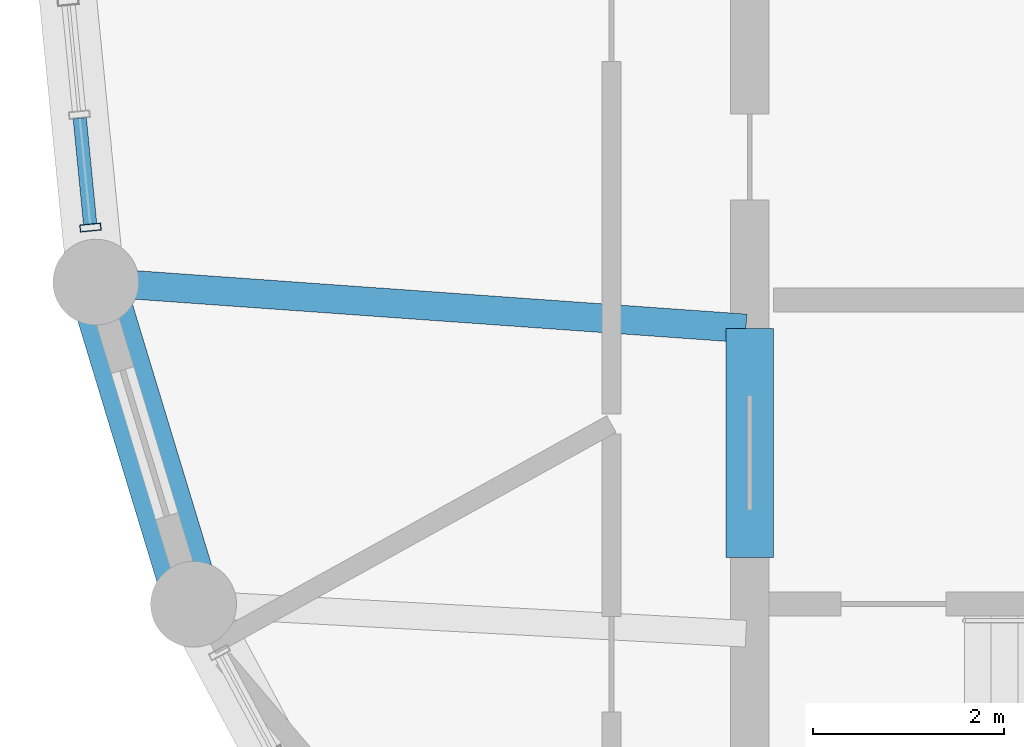
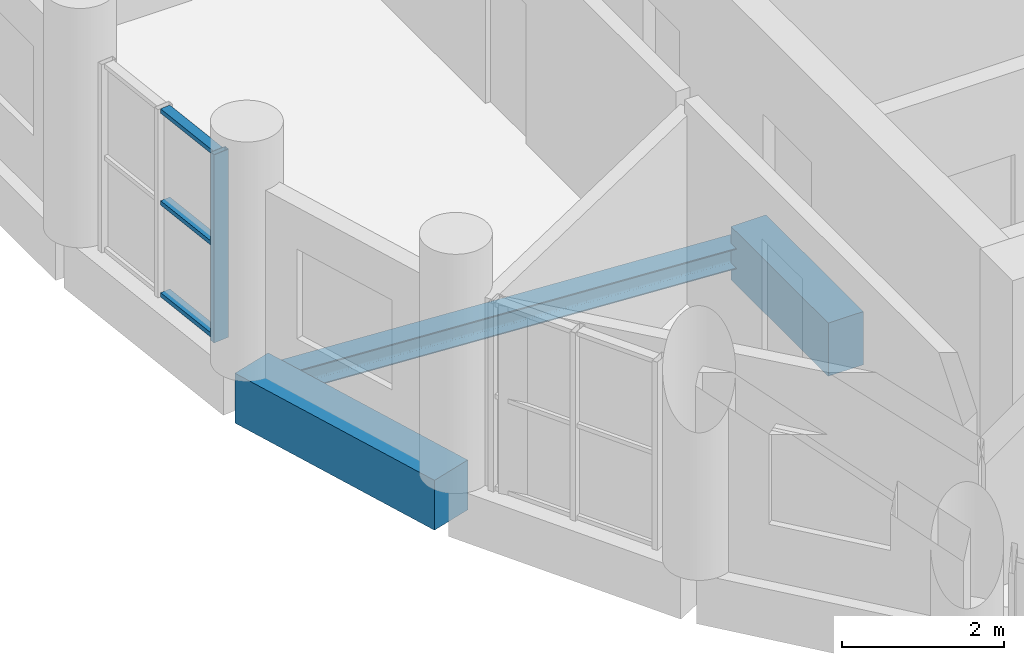
# One storey, part 3 of 11: 4 members, 3 beams, 1 element without a shape of its own.
"""IFC4 building model written with IfcOpenShell, lengths in metres."""

from ifc_helpers import new_model, si_unit, direction, frame, origin, origin_2d, place, context, subcontext, project, spatial, rectangle, hollow_rectangle, i_section, extrude, material, layer, layer_set, material_profile, profile_set, type_object, element, aggregate, save


model = new_model("IFC4")

# Units and contexts
model_context = context("Model", 3, precision=1e-05, world=origin(), true_north=direction((0.0, 1.0)))
body_context = subcontext(model_context, "Body", "Model", "MODEL_VIEW")
ifc_project = project(units=[si_unit("LENGTHUNIT", "METRE"), si_unit("AREAUNIT", "SQUARE_METRE"), si_unit("VOLUMEUNIT", "CUBIC_METRE"), si_unit("PLANEANGLEUNIT", "RADIAN"), si_unit("MASSUNIT", "GRAM", prefix="KILO")], contexts=[model_context])

# Site, building, storey
site_placement = place(None, origin())
site = spatial("IfcSite", under=ifc_project, at=site_placement, CompositionType="ELEMENT")
building_placement = place(site_placement, origin())
building = spatial("IfcBuilding", under=site, at=building_placement, Name="Solnavia Interchange Tower", CompositionType="ELEMENT")
storey_placement = place(building_placement, frame((0.0, 0.0, 273.800048828125)))
storey = spatial("IfcBuildingStorey", under=building, at=storey_placement, Name="L69", CompositionType="ELEMENT", Elevation=273.800048828125)

# Beams
ifc_material_1 = material(Name="Concrete C50/60", Category="concrete")
ifc_material_profile_1 = material_profile(ifc_material_1, rectangle(XDim=0.5, YDim=0.800048828125, at=origin_2d()), Name="RC 500x800")
ifc_profile_set_1 = profile_set([ifc_material_profile_1], Name="Concrete C50/60")
beam_type_1 = type_object("IfcBeamType", Name="Beam-Coupling-RC500x800", PredefinedType="LINTEL", material=ifc_profile_set_1)
beam_1_placement = place(storey_placement, frame((14.39990234375, 15.199951171875, -0.400146484375), z_axis=(0.0, 1.0, 0.0), x_axis=(-1.0, 0.0, 0.0)))
element("IfcBeam", 1, at=beam_1_placement, inside=storey, type_object=beam_type_1, Name="CPB-L69-W1 Core coupling lintel beam", PredefinedType="LINTEL", context=body_context, shape_type="SweptSolid", body=[
    extrude(rectangle(XDim=0.5, YDim=0.800048828125, at=origin_2d()), origin(), (0.0, 0.0, 1.0), 2.400146484375),
])
ifc_material_2 = material(Name="Steel S355", Category="steel")
ifc_material_profile_2 = material_profile(ifc_material_2, i_section(OverallWidth=0.300048828125, OverallDepth=0.31005859375, WebThickness=0.009033203125, FlangeThickness=0.015380859375, FilletRadius=0.027099609375, at=origin_2d()), Name="HEA 320")
ifc_profile_set_2 = profile_set([ifc_material_profile_2], Name="Steel S355")
beam_type_2 = type_object("IfcBeamType", Name="Beam-Primary-HEA320", PredefinedType="BEAM", material=ifc_profile_set_2)
beam_2_placement = place(storey_placement, frame((7.625732421875, 18.082275390625, -0.405029296875), z_axis=(0.99747482749, -0.071020902015, 0.0), x_axis=(0.071020902015, 0.99747482749, 0.0)))
element("IfcBeam", 2, at=beam_2_placement, inside=storey, type_object=beam_type_2, Name="GRD-L69-DR05 Drum radial floor girder", PredefinedType="BEAM", context=body_context, shape_type="SweptSolid", body=[
    extrude(i_section(OverallWidth=0.300048828125, OverallDepth=0.31005859375, WebThickness=0.009033203125, FlangeThickness=0.015380859375, FilletRadius=0.027099609375, at=origin_2d()), origin(), (0.0, 0.0, 1.0), 6.75146484375),
])
ifc_material_profile_3 = material_profile(ifc_material_1, rectangle(XDim=0.60009765625, YDim=0.75, at=origin_2d()), Name="RC 600x750")
ifc_profile_set_3 = profile_set([ifc_material_profile_3], Name="Concrete C50/60")
beam_type_3 = type_object("IfcBeamType", Name="Beam-Spandrel-RC600x750", PredefinedType="SPANDREL", material=ifc_profile_set_3)
beam_3_placement = place(storey_placement, frame((7.569091796875, 18.011474609375, -0.375), z_axis=(0.290319223646, -0.956929855518, 0.0), x_axis=(0.956929855518, 0.290319223646, 0.0)))
element("IfcBeam", 3, at=beam_3_placement, inside=storey, type_object=beam_type_3, Name="SPB-L69-02 Framed-tube perimeter spandrel beam", PredefinedType="SPANDREL", context=body_context, shape_type="SweptSolid", body=[
    extrude(rectangle(XDim=0.60009765625, YDim=0.75, at=origin_2d()), origin(), (0.0, 0.0, 1.0), 3.367919921875),
])

# Curtain wall, members
ifc_material_3 = material(Name="Aluminium Alloy 6063-T6", Category="aluminium")
ifc_layer = layer(ifc_material_3, 0.239990234375)
ifc_layer_set = layer_set([ifc_layer], Name="Aluminium Alloy 6063-T6")
curtain_wall_type = type_object("IfcCurtainWallType", Name="CurtainWall-Drum-CTW2", PredefinedType="NOTDEFINED", material=ifc_layer_set)
curtain_wall_placement = place(storey_placement, origin())
curtain_wall = element("IfcCurtainWall", 4, at=curtain_wall_placement, inside=storey, type_object=curtain_wall_type, Name="CTW-L69-D37 CTW-2 curtain wall", PredefinedType="NOTDEFINED")
ifc_material_profile_4 = material_profile(ifc_material_3, hollow_rectangle(XDim=0.074951171875, YDim=0.219970703125, WallThickness=0.0048828125, at=origin_2d()), Name="ALU 220x75x5")
ifc_profile_set_4 = profile_set([ifc_material_profile_4], Name="Aluminium Alloy 6063-T6")
member_type_1 = type_object("IfcMemberType", Name="CW-Mullion-CWM-2", PredefinedType="MULLION", material=ifc_profile_set_4)
member_1_placement = place(storey_placement, frame((7.489501953125, 18.66015625, 0.0), z_axis=(0.0, 0.0, 1.0), x_axis=(0.098043088306, -0.995182170678, 0.0)))
member_1 = element("IfcMember", 5, at=member_1_placement, type_object=member_type_1, Name="CTW-2 mullion 3", PredefinedType="MULLION", context=body_context, shape_type="SweptSolid", body=[
    extrude(hollow_rectangle(XDim=0.074951171875, YDim=0.219970703125, WallThickness=0.0048828125, at=origin_2d()), origin(), (0.0, 0.0, 1.0), 2.829833984375),
])
ifc_material_profile_5 = material_profile(ifc_material_3, hollow_rectangle(XDim=0.06494140625, YDim=0.139892578125, WallThickness=0.00390625, at=origin_2d()), Name="ALU 140x65x4")
ifc_profile_set_5 = profile_set([ifc_material_profile_5], Name="Aluminium Alloy 6063-T6")
member_type_2 = type_object("IfcMemberType", Name="CW-Transom-CWT-2", PredefinedType="USERDEFINED", material=ifc_profile_set_5)
member_2_placement = place(storey_placement, frame((7.376708984375, 19.806640625, 0.032470703125), z_axis=(0.097920280653, -0.995194261758, 0.0), x_axis=(0.0, 0.0, 1.0)))
member_2 = element("IfcMember", 6, at=member_2_placement, type_object=member_type_2, Name="CTW-2 transom 2.1", ObjectType="TRANSOM", PredefinedType="USERDEFINED", context=body_context, shape_type="SweptSolid", body=[
    extrude(hollow_rectangle(XDim=0.06494140625, YDim=0.139892578125, WallThickness=0.00390625, at=origin_2d()), origin(), (0.0, 0.0, 1.0), 1.114501953125),
])
member_3_placement = place(storey_placement, frame((7.376708984375, 19.806640625, 1.4150390625), z_axis=(0.097920280653, -0.995194261758, 0.0), x_axis=(0.0, 0.0, 1.0)))
member_3 = element("IfcMember", 7, at=member_3_placement, type_object=member_type_2, Name="CTW-2 transom 2.2", ObjectType="TRANSOM", PredefinedType="USERDEFINED", context=body_context, shape_type="SweptSolid", body=[
    extrude(hollow_rectangle(XDim=0.06494140625, YDim=0.139892578125, WallThickness=0.00390625, at=origin_2d()), origin(), (0.0, 0.0, 1.0), 1.114501953125),
])
member_4_placement = place(storey_placement, frame((7.376708984375, 19.806640625, 2.79736328125), z_axis=(0.097920280653, -0.995194261758, 0.0), x_axis=(0.0, 0.0, 1.0)))
member_4 = element("IfcMember", 8, at=member_4_placement, type_object=member_type_2, Name="CTW-2 transom 2.3", ObjectType="TRANSOM", PredefinedType="USERDEFINED", context=body_context, shape_type="SweptSolid", body=[
    extrude(hollow_rectangle(XDim=0.06494140625, YDim=0.139892578125, WallThickness=0.00390625, at=origin_2d()), origin(), (0.0, 0.0, 1.0), 1.114501953125),
])
aggregate(curtain_wall, [member_1, member_2, member_3, member_4])

save(model, "model.ifc")
